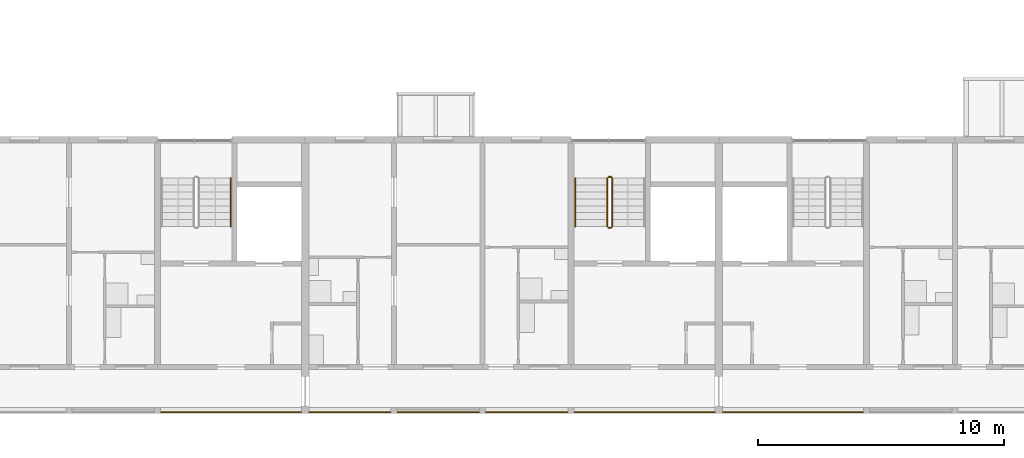
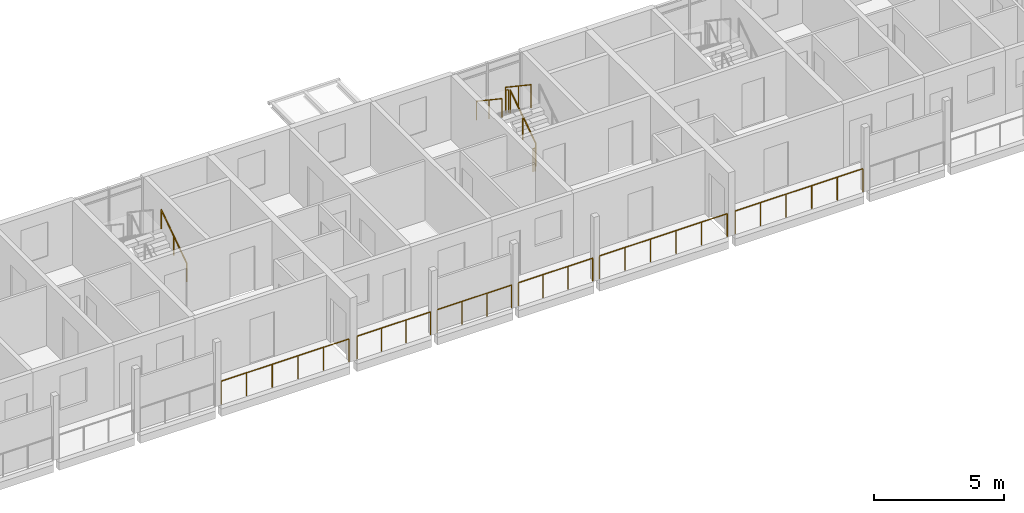
# One storey, part 78 of 94: 12 railings.
"""IFC4 building model written with IfcOpenShell, lengths in metres."""

from ifc_helpers import new_model, si_unit, direction, frame, origin, origin_2d, place, context, subcontext, project, spatial, circle, extrude, material, type_object, element, save


model = new_model("IFC4")

# Units and contexts
model_context = context("Model", 3, precision=1e-05, world=origin(), true_north=direction((0.0, 1.0)))
body_context = subcontext(model_context, "Body", "Model", "MODEL_VIEW")
ifc_project = project(units=[si_unit("LENGTHUNIT", "METRE"), si_unit("AREAUNIT", "SQUARE_METRE"), si_unit("VOLUMEUNIT", "CUBIC_METRE"), si_unit("PLANEANGLEUNIT", "RADIAN"), si_unit("MASSUNIT", "GRAM", prefix="KILO")], contexts=[model_context])

# Site, building, storey
site_placement = place(None, origin())
site = spatial("IfcSite", under=ifc_project, at=site_placement, CompositionType="ELEMENT")
building_placement = place(site_placement, origin())
building = spatial("IfcBuilding", under=site, at=building_placement, Name="Ridgestep Commons", CompositionType="ELEMENT")
storey_placement = place(building_placement, frame((0.0, 0.0, 21.0)))
storey = spatial("IfcBuildingStorey", under=building, at=storey_placement, Name="L07", CompositionType="ELEMENT", Elevation=21.0)

# Railings
ifc_material_1 = material(Name="Structural steel S355JR", Category="steel")
railing_type_1 = type_object("IfcRailingType", Name="Guard 1100", PredefinedType="GUARDRAIL", material=ifc_material_1)
railing_1_placement = place(storey_placement, frame((73.345947265625, 11.800048828125, 0.0)))
element("IfcRailing", 1, at=railing_1_placement, inside=storey, type_object=railing_type_1, Name="Gallery guard A 07.16", PredefinedType="GUARDRAIL", context=body_context, shape_type="SweptSolid", body=[
    extrude(circle(Radius=0.02392578125, at=origin_2d()), frame((0.0, 0.0, 1.076171875), z_axis=(1.0, 0.0, 0.0), x_axis=(0.0, 1.0, 0.0)), (0.0, 0.0, 1.0), 5.68310546875),
    extrude(circle(Radius=0.02099609375, at=origin_2d()), origin(), (0.0, 0.0, 1.0), 1.052001953125),
    extrude(circle(Radius=0.02099609375, at=origin_2d()), frame((1.13671875, 0.0, 0.0)), (0.0, 0.0, 1.0), 1.052001953125),
    extrude(circle(Radius=0.02099609375, at=origin_2d()), frame((2.273193359375, 0.0, 0.0)), (0.0, 0.0, 1.0), 1.052001953125),
    extrude(circle(Radius=0.02099609375, at=origin_2d()), frame((3.409912109375, 0.0, 0.0)), (0.0, 0.0, 1.0), 1.052001953125),
    extrude(circle(Radius=0.02099609375, at=origin_2d()), frame((4.54638671875, 0.0, 0.0)), (0.0, 0.0, 1.0), 1.052001953125),
    extrude(circle(Radius=0.02099609375, at=origin_2d()), frame((5.68310546875, 0.0, 0.0)), (0.0, 0.0, 1.0), 1.052001953125),
])
railing_2_placement = place(storey_placement, frame((79.37109375, 11.800048828125, 0.0)))
element("IfcRailing", 2, at=railing_2_placement, inside=storey, type_object=railing_type_1, Name="Gallery guard A 07.17", PredefinedType="GUARDRAIL", context=body_context, shape_type="SweptSolid", body=[
    extrude(circle(Radius=0.02392578125, at=origin_2d()), frame((0.0, 0.0, 1.076171875), z_axis=(1.0, 0.0, 0.0), x_axis=(0.0, 1.0, 0.0)), (0.0, 0.0, 1.0), 3.282958984375),
    extrude(circle(Radius=0.02099609375, at=origin_2d()), origin(), (0.0, 0.0, 1.0), 1.052001953125),
    extrude(circle(Radius=0.02099609375, at=origin_2d()), frame((1.09423828125, 0.0, 0.0)), (0.0, 0.0, 1.0), 1.052001953125),
    extrude(circle(Radius=0.02099609375, at=origin_2d()), frame((2.188720703125, 0.0, 0.0)), (0.0, 0.0, 1.0), 1.052001953125),
    extrude(circle(Radius=0.02099609375, at=origin_2d()), frame((3.282958984375, 0.0, 0.0)), (0.0, 0.0, 1.0), 1.052001953125),
])
railing_3_placement = place(storey_placement, frame((82.946044921875, 11.800048828125, 0.0)))
element("IfcRailing", 3, at=railing_3_placement, inside=storey, type_object=railing_type_1, Name="Gallery guard A 07.18", PredefinedType="GUARDRAIL", context=body_context, shape_type="SweptSolid", body=[
    extrude(circle(Radius=0.02392578125, at=origin_2d()), frame((0.0, 0.0, 1.076171875), z_axis=(1.0, 0.0, 0.0), x_axis=(0.0, 1.0, 0.0)), (0.0, 0.0, 1.0), 3.307861328125),
    extrude(circle(Radius=0.02099609375, at=origin_2d()), origin(), (0.0, 0.0, 1.0), 1.052001953125),
    extrude(circle(Radius=0.02099609375, at=origin_2d()), frame((1.1025390625, 0.0, 0.0)), (0.0, 0.0, 1.0), 1.052001953125),
    extrude(circle(Radius=0.02099609375, at=origin_2d()), frame((2.205322265625, 0.0, 0.0)), (0.0, 0.0, 1.0), 1.052001953125),
    extrude(circle(Radius=0.02099609375, at=origin_2d()), frame((3.307861328125, 0.0, 0.0)), (0.0, 0.0, 1.0), 1.052001953125),
])
railing_4_placement = place(storey_placement, frame((86.5458984375, 11.800048828125, 0.0)))
element("IfcRailing", 4, at=railing_4_placement, inside=storey, type_object=railing_type_1, Name="Gallery guard A 07.19", PredefinedType="GUARDRAIL", context=body_context, shape_type="SweptSolid", body=[
    extrude(circle(Radius=0.02392578125, at=origin_2d()), frame((0.0, 0.0, 1.076171875), z_axis=(1.0, 0.0, 0.0), x_axis=(0.0, 1.0, 0.0)), (0.0, 0.0, 1.0), 3.30810546875),
    extrude(circle(Radius=0.02099609375, at=origin_2d()), origin(), (0.0, 0.0, 1.0), 1.052001953125),
    extrude(circle(Radius=0.02099609375, at=origin_2d()), frame((1.102783203125, 0.0, 0.0)), (0.0, 0.0, 1.0), 1.052001953125),
    extrude(circle(Radius=0.02099609375, at=origin_2d()), frame((2.205322265625, 0.0, 0.0)), (0.0, 0.0, 1.0), 1.052001953125),
    extrude(circle(Radius=0.02099609375, at=origin_2d()), frame((3.30810546875, 0.0, 0.0)), (0.0, 0.0, 1.0), 1.052001953125),
])
for number, where, name in (
    (5, (90.14599609375, 11.800048828125, 0.0), "Gallery guard A 07.20"),
    (6, (96.1708984375, 11.800048828125, 0.0), "Gallery guard A 07.21"),
):
    element("IfcRailing", number, at=place(storey_placement, frame(where)), inside=storey, type_object=railing_type_1, Name=name, PredefinedType="GUARDRAIL", context=body_context, shape_type="SweptSolid", body=[
        extrude(circle(Radius=0.02392578125, at=origin_2d()), frame((0.0, 0.0, 1.076171875), z_axis=(1.0, 0.0, 0.0), x_axis=(0.0, 1.0, 0.0)), (0.0, 0.0, 1.0), 5.68310546875),
        extrude(circle(Radius=0.02099609375, at=origin_2d()), origin(), (0.0, 0.0, 1.0), 1.052001953125),
        extrude(circle(Radius=0.02099609375, at=origin_2d()), frame((1.13671875, 0.0, 0.0)), (0.0, 0.0, 1.0), 1.052001953125),
        extrude(circle(Radius=0.02099609375, at=origin_2d()), frame((2.273193359375, 0.0, 0.0)), (0.0, 0.0, 1.0), 1.052001953125),
        extrude(circle(Radius=0.02099609375, at=origin_2d()), frame((3.409912109375, 0.0, 0.0)), (0.0, 0.0, 1.0), 1.052001953125),
        extrude(circle(Radius=0.02099609375, at=origin_2d()), frame((4.54638671875, 0.0, 0.0)), (0.0, 0.0, 1.0), 1.052001953125),
        extrude(circle(Radius=0.02099609375, at=origin_2d()), frame((5.68310546875, 0.0, 0.0)), (0.0, 0.0, 1.0), 1.052001953125),
    ])
ifc_material_2 = material(Name="Structural steel S355JR", Category="steel")
railing_type_2 = type_object("IfcRailingType", Name="Stair guard 1100", PredefinedType="GUARDRAIL", material=ifc_material_2)
railing_5_placement = place(storey_placement, frame((91.675048828125, 19.35009765625, 0.1875)))
element("IfcRailing", 7, at=railing_5_placement, inside=storey, type_object=railing_type_2, Name="L07 A5C stair guard 1", PredefinedType="GUARDRAIL", context=body_context, shape_type="SweptSolid", body=[
    extrude(circle(Radius=0.02392578125, at=origin_2d()), frame((0.0, 0.0, 1.076171875), z_axis=(0.0, 0.830902050051, 0.556418712142), x_axis=(-1.0, 0.0, 0.0)), (0.0, 0.0, 1.0), 2.35888671875),
    extrude(circle(Radius=0.02099609375, at=origin_2d()), origin(), (0.0, 0.0, 1.0), 1.052001953125),
    extrude(circle(Radius=0.02099609375, at=origin_2d()), frame((0.0, 0.97998046875, 0.65625)), (0.0, 0.0, 1.0), 1.052001953125),
    extrude(circle(Radius=0.02099609375, at=origin_2d()), frame((0.0, 1.9599609375, 1.3125)), (0.0, 0.0, 1.0), 1.052001953125),
])
railing_6_placement = place(storey_placement, frame((91.625, 21.360107421875, 1.5)))
element("IfcRailing", 8, at=railing_6_placement, inside=storey, type_object=railing_type_2, Name="L07 A5C stair guard 2", PredefinedType="GUARDRAIL", context=body_context, shape_type="SweptSolid", body=[
    extrude(circle(Radius=0.02392578125, at=origin_2d()), frame((0.0, 0.0, 1.076171875), z_axis=(-1.0, 0.0, 0.0), x_axis=(0.0, -1.0, 0.0)), (0.0, 0.0, 1.0), 0.10009765625),
    extrude(circle(Radius=0.02099609375, at=origin_2d()), origin(), (0.0, 0.0, 1.0), 1.052001953125),
    extrude(circle(Radius=0.02099609375, at=origin_2d()), frame((-0.10009765625, 0.0, 0.0)), (0.0, 0.0, 1.0), 1.052001953125),
])
railing_7_placement = place(storey_placement, frame((91.47509765625, 21.31005859375, 1.6875)))
element("IfcRailing", 9, at=railing_7_placement, inside=storey, type_object=railing_type_2, Name="L07 A5C stair guard 3", PredefinedType="GUARDRAIL", context=body_context, shape_type="SweptSolid", body=[
    extrude(circle(Radius=0.02392578125, at=origin_2d()), frame((0.0, 0.0, 1.076171875), z_axis=(0.0, -0.830902050051, 0.556418712142), x_axis=(1.0, 0.0, 0.0)), (0.0, 0.0, 1.0), 2.35888671875),
    extrude(circle(Radius=0.02099609375, at=origin_2d()), origin(), (0.0, 0.0, 1.0), 1.052001953125),
    extrude(circle(Radius=0.02099609375, at=origin_2d()), frame((0.0, -0.97998046875, 0.65625)), (0.0, 0.0, 1.0), 1.052001953125),
    extrude(circle(Radius=0.02099609375, at=origin_2d()), frame((0.0, -1.9599609375, 1.3125)), (0.0, 0.0, 1.0), 1.052001953125),
])
railing_8_placement = place(storey_placement, frame((91.625, 19.300048828125, 0.0)))
element("IfcRailing", 10, at=railing_8_placement, inside=storey, type_object=railing_type_2, Name="L07 A5C stair guard 4", PredefinedType="GUARDRAIL", context=body_context, shape_type="SweptSolid", body=[
    extrude(circle(Radius=0.02392578125, at=origin_2d()), frame((0.0, 0.0, 1.076171875), z_axis=(-1.0, 0.0, 0.0), x_axis=(0.0, -1.0, 0.0)), (0.0, 0.0, 1.0), 0.10009765625),
    extrude(circle(Radius=0.02099609375, at=origin_2d()), origin(), (0.0, 0.0, 1.0), 1.052001953125),
    extrude(circle(Radius=0.02099609375, at=origin_2d()), frame((-0.10009765625, 0.0, 0.0)), (0.0, 0.0, 1.0), 1.052001953125),
])
ifc_material_3 = material(Name="Structural steel S355JR", Category="steel")
railing_type_3 = type_object("IfcRailingType", Name="Stair handrail 900", PredefinedType="HANDRAIL", material=ifc_material_3)
railing_9_placement = place(storey_placement, frame((76.175048828125, 19.35009765625, 0.1875)))
element("IfcRailing", 11, at=railing_9_placement, inside=storey, type_object=railing_type_3, Name="L07 A4C stair handrail 1", PredefinedType="HANDRAIL", context=body_context, shape_type="SweptSolid", body=[
    extrude(circle(Radius=0.02392578125, at=origin_2d()), frame((0.0, 0.0, 0.8759765625), z_axis=(0.0, 0.830902050051, 0.556418712142), x_axis=(-1.0, 0.0, 0.0)), (0.0, 0.0, 1.0), 2.35888671875),
    extrude(circle(Radius=0.02099609375, at=origin_2d()), origin(), (0.0, 0.0, 1.0), 0.851806640625),
    extrude(circle(Radius=0.02099609375, at=origin_2d()), frame((0.0, 0.97998046875, 0.65625)), (0.0, 0.0, 1.0), 0.851806640625),
    extrude(circle(Radius=0.02099609375, at=origin_2d()), frame((0.0, 1.9599609375, 1.3125)), (0.0, 0.0, 1.0), 0.851806640625),
])
railing_10_placement = place(storey_placement, frame((90.175048828125, 21.31005859375, 1.6875)))
element("IfcRailing", 12, at=railing_10_placement, inside=storey, type_object=railing_type_3, Name="L07 A5C stair handrail 2", PredefinedType="HANDRAIL", context=body_context, shape_type="SweptSolid", body=[
    extrude(circle(Radius=0.02392578125, at=origin_2d()), frame((0.0, 0.0, 0.8759765625), z_axis=(0.0, -0.830902050051, 0.556418712142), x_axis=(1.0, 0.0, 0.0)), (0.0, 0.0, 1.0), 2.35888671875),
    extrude(circle(Radius=0.02099609375, at=origin_2d()), origin(), (0.0, 0.0, 1.0), 0.851806640625),
    extrude(circle(Radius=0.02099609375, at=origin_2d()), frame((0.0, -0.97998046875, 0.65625)), (0.0, 0.0, 1.0), 0.851806640625),
    extrude(circle(Radius=0.02099609375, at=origin_2d()), frame((0.0, -1.9599609375, 1.3125)), (0.0, 0.0, 1.0), 0.851806640625),
])

save(model, "model.ifc")
